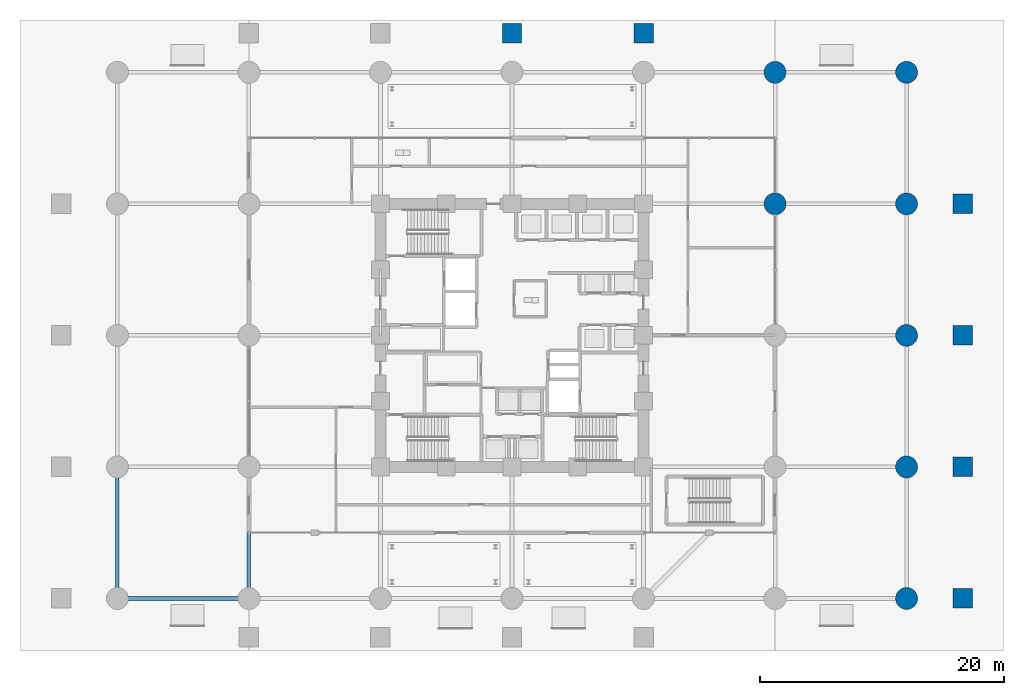
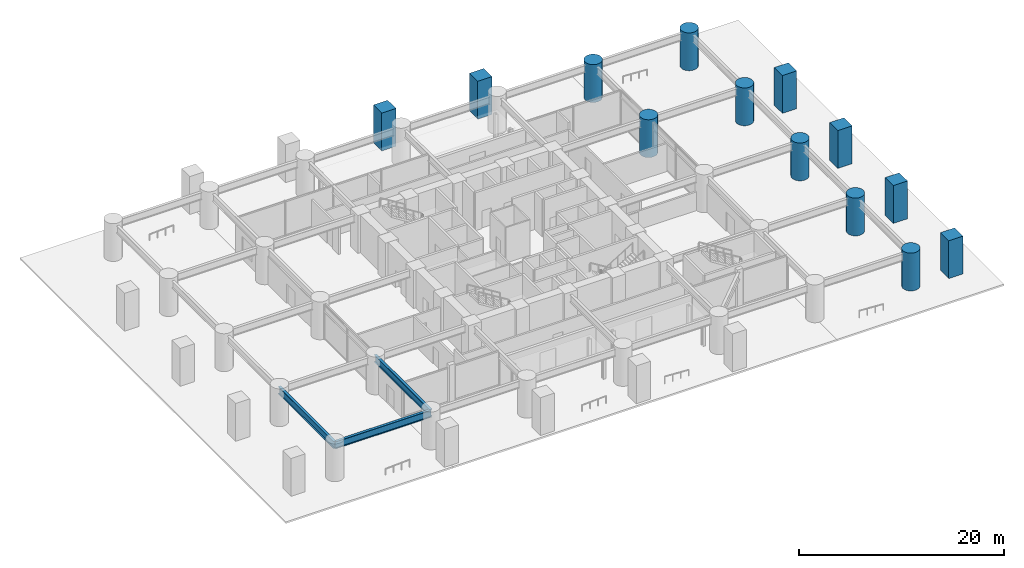
# One storey, part 4 of 29: 13 columns, 3 beams.
"""IFC4 building model written with IfcOpenShell, lengths in metres."""

from ifc_helpers import new_model, si_unit, direction, frame, origin, origin_2d, place, context, subcontext, project, spatial, rectangle, circle, i_section, extrude, material, material_profile, profile_set, type_object, element, save


model = new_model("IFC4")

# Units and contexts
model_context = context("Model", 3, precision=1e-05, world=origin(), true_north=direction((0.0, 1.0)))
body_context = subcontext(model_context, "Body", "Model", "MODEL_VIEW")
ifc_project = project(units=[si_unit("LENGTHUNIT", "METRE"), si_unit("AREAUNIT", "SQUARE_METRE"), si_unit("VOLUMEUNIT", "CUBIC_METRE"), si_unit("PLANEANGLEUNIT", "RADIAN"), si_unit("MASSUNIT", "GRAM", prefix="KILO")], contexts=[model_context])

# Site, building, storey
site_placement = place(None, origin())
site = spatial("IfcSite", under=ifc_project, at=site_placement, CompositionType="ELEMENT")
building_placement = place(site_placement, origin())
building = spatial("IfcBuilding", under=site, at=building_placement, Name="Surkhivell Harbour Commons", CompositionType="ELEMENT")
storey_placement = place(building_placement, origin())
storey = spatial("IfcBuildingStorey", under=building, at=storey_placement, Name="L00", CompositionType="ELEMENT", Elevation=0.0)

# Columns
ifc_material_1 = material(Name="Concrete C80/95", Category="concrete")
ifc_material_profile_1 = material_profile(ifc_material_1, rectangle(XDim=1.60009765625, YDim=1.60009765625, at=origin_2d()), Name="RC-COL-1600x1600")
ifc_profile_set_1 = profile_set([ifc_material_profile_1], Name="Concrete C80/95")
column_type_1 = type_object("IfcColumnType", Name="COL-MEGA-1600", PredefinedType="COLUMN", material=ifc_profile_set_1)
for number, where, z_axis, x_axis, name in (
    (1, (0.0, 24.800048828125, 0.0), (0.0, 0.0, 1.0), (1.0, 0.0, 0.0), "L00 Column CM-1 (0.0,24.8)"),
    (2, (10.800048828125, 24.800048828125, 0.0), (0.0, 0.0, 1.0), (1.0, 0.0, 0.0), "L00 Column CM-1 (10.8,24.8)"),
    (3, (37.0, -21.60009765625, 0.0), (0.0, 0.0, 1.0), (1.0, 0.0, 0.0), "L00 Column CM-1 (37.0,-21.6)"),
    (4, (37.0, -10.800048828125, 0.0), (0.0, 0.0, 1.0), (1.0, 0.0, 0.0), "L00 Column CM-1 (37.0,-10.8)"),
    (5, (37.0, 0.0, 0.0), (0.0, 0.0, 1.0), (1.0, 0.0, 0.0), "L00 Column CM-1 (37.0,0.0)"),
    (6, (37.0, 10.800048828125, 0.0), (0.0, 0.0, 1.0), (1.0, 0.0, 0.0), "L00 Column CM-1 (37.0,10.8)"),
):
    element("IfcColumn", number, at=place(storey_placement, frame(where, z_axis=z_axis, x_axis=x_axis)), inside=storey, type_object=column_type_1, Name=name, PredefinedType="COLUMN", context=body_context, shape_type="SweptSolid", body=[
        extrude(rectangle(XDim=1.60009765625, YDim=1.60009765625, at=origin_2d()), origin(), (0.0, 0.0, 1.0), 4.5),
    ])
ifc_material_profile_2 = material_profile(ifc_material_1, circle(Radius=0.89990234375, at=origin_2d()), Name="RC-CIRC-1800")
ifc_profile_set_2 = profile_set([ifc_material_profile_2], Name="Concrete C80/95")
column_type_2 = type_object("IfcColumnType", Name="COL-STILT-1800", PredefinedType="COLUMN", material=ifc_profile_set_2)
for number, where, z_axis, x_axis, name in (
    (7, (21.60009765625, 10.800048828125, 0.0), (0.0, 0.0, 1.0), (1.0, 0.0, 0.0), "L00 Column CS-1 (21.6,10.8)"),
    (8, (21.60009765625, 21.60009765625, 0.0), (0.0, 0.0, 1.0), (1.0, 0.0, 0.0), "L00 Column CS-1 (21.6,21.6)"),
    (9, (32.39990234375, -21.60009765625, 0.0), (0.0, 0.0, 1.0), (1.0, 0.0, 0.0), "L00 Column CS-1 (32.4,-21.6)"),
    (10, (32.39990234375, -10.800048828125, 0.0), (0.0, 0.0, 1.0), (1.0, 0.0, 0.0), "L00 Column CS-1 (32.4,-10.8)"),
    (11, (32.39990234375, 0.0, 0.0), (0.0, 0.0, 1.0), (1.0, 0.0, 0.0), "L00 Column CS-1 (32.4,0.0)"),
    (12, (32.39990234375, 10.800048828125, 0.0), (0.0, 0.0, 1.0), (1.0, 0.0, 0.0), "L00 Column CS-1 (32.4,10.8)"),
    (13, (32.39990234375, 21.60009765625, 0.0), (0.0, 0.0, 1.0), (1.0, 0.0, 0.0), "L00 Column CS-1 (32.4,21.6)"),
):
    element("IfcColumn", number, at=place(storey_placement, frame(where, z_axis=z_axis, x_axis=x_axis)), inside=storey, type_object=column_type_2, Name=name, PredefinedType="COLUMN", context=body_context, shape_type="SweptSolid", body=[
        extrude(circle(Radius=0.89990234375, at=origin_2d()), origin(), (0.0, 0.0, 1.0), 4.5),
    ])

# Beams
ifc_material_2 = material(Name="Steel S460", Category="steel")
ifc_material_profile_3 = material_profile(ifc_material_2, i_section(OverallWidth=0.2939453125, OverallDepth=0.85107421875, WebThickness=0.01611328125, FlangeThickness=0.02685546875, at=origin_2d()), Name="UB838x292x226")
ifc_profile_set_3 = profile_set([ifc_material_profile_3], Name="Steel S460")
beam_type = type_object("IfcBeamType", Name="BM-SPN-838", PredefinedType="SPANDREL", material=ifc_profile_set_3)
beam_1_placement = place(storey_placement, frame((-32.39990234375, -21.60009765625, 3.7744140625), z_axis=(0.0, 1.0, 0.0), x_axis=(-1.0, 0.0, 0.0)))
element("IfcBeam", 14, at=beam_1_placement, inside=storey, type_object=beam_type, Name="L00 Framing Beam (-32.4,-21.6)", PredefinedType="SPANDREL", context=body_context, shape_type="SweptSolid", body=[
    extrude(i_section(OverallWidth=0.2939453125, OverallDepth=0.85107421875, WebThickness=0.01611328125, FlangeThickness=0.02685546875, at=origin_2d()), origin(), (0.0, 0.0, 1.0), 10.800048828125),
])
beam_2_placement = place(storey_placement, frame((-32.39990234375, -21.60009765625, 3.7744140625), z_axis=(1.0, 0.0, 0.0), x_axis=(0.0, 1.0, 0.0)))
element("IfcBeam", 15, at=beam_2_placement, inside=storey, type_object=beam_type, Name="L00 Framing Beam (-32.4,-21.6)", PredefinedType="SPANDREL", context=body_context, shape_type="SweptSolid", body=[
    extrude(i_section(OverallWidth=0.2939453125, OverallDepth=0.85107421875, WebThickness=0.01611328125, FlangeThickness=0.02685546875, at=origin_2d()), origin(), (0.0, 0.0, 1.0), 10.7998046875),
])
beam_3_placement = place(storey_placement, frame((-21.60009765625, -21.60009765625, 3.7744140625), z_axis=(0.0, 1.0, 0.0), x_axis=(-1.0, 0.0, 0.0)))
element("IfcBeam", 16, at=beam_3_placement, inside=storey, type_object=beam_type, Name="L00 Framing Beam (-21.6,-21.6)", PredefinedType="SPANDREL", context=body_context, shape_type="SweptSolid", body=[
    extrude(i_section(OverallWidth=0.2939453125, OverallDepth=0.85107421875, WebThickness=0.01611328125, FlangeThickness=0.02685546875, at=origin_2d()), origin(), (0.0, 0.0, 1.0), 10.800048828125),
])

save(model, "model.ifc")
